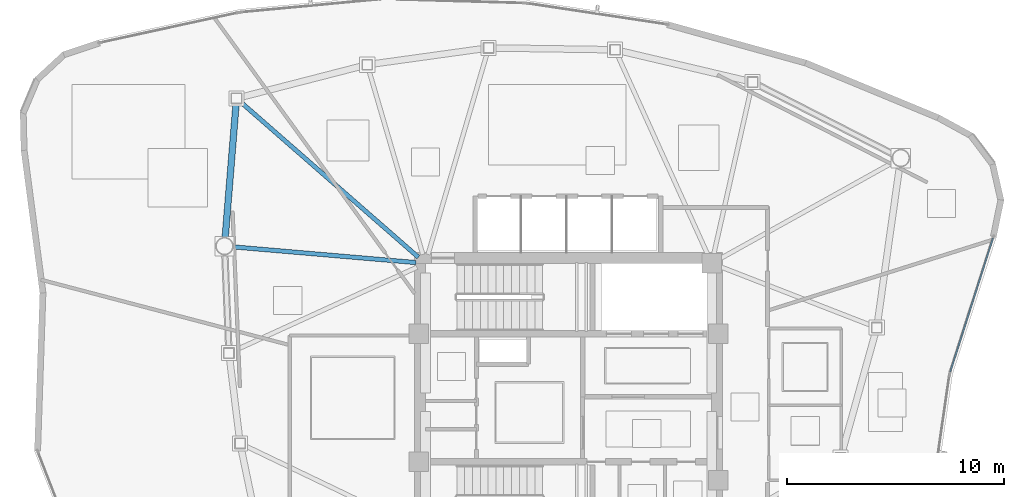
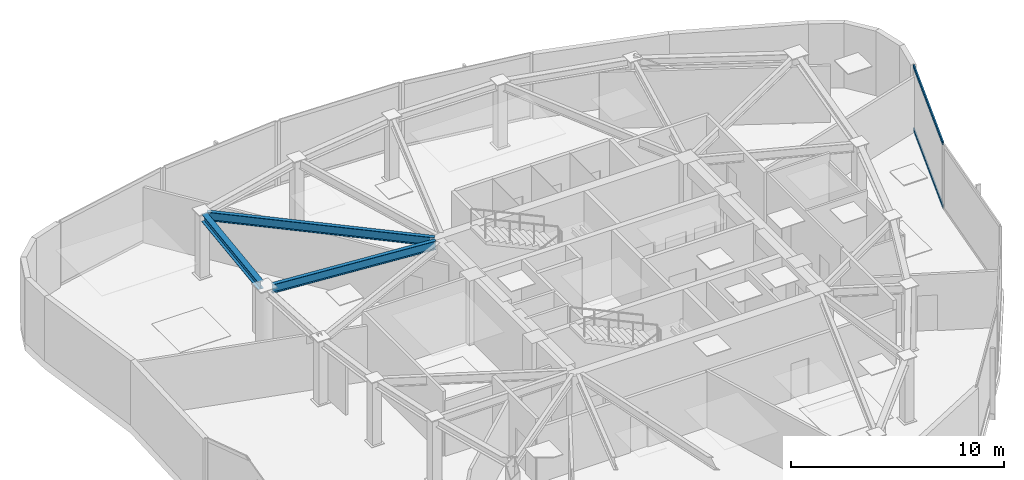
# One storey, part 5 of 14: 3 beams, 2 members, 1 element without a shape of its own.
"""IFC4 building model written with IfcOpenShell, lengths in metres."""

from ifc_helpers import new_model, si_unit, direction, frame, origin, origin_2d, place, context, subcontext, project, spatial, hollow_rectangle, i_section, extrude, source, transform, mapped, material, layer, layer_set, material_profile, profile_set, type_object, type_shapes, element, aggregate, save


model = new_model("IFC4")

# Units and contexts
model_context = context("Model", 3, precision=1e-05, world=origin(), true_north=direction((0.0, 1.0)))
body_context = subcontext(model_context, "Body", "Model", "MODEL_VIEW")
ifc_project = project(units=[si_unit("LENGTHUNIT", "METRE"), si_unit("AREAUNIT", "SQUARE_METRE"), si_unit("VOLUMEUNIT", "CUBIC_METRE"), si_unit("PLANEANGLEUNIT", "RADIAN"), si_unit("MASSUNIT", "GRAM", prefix="KILO")], contexts=[model_context])

# Site, building, storey
site_placement = place(None, origin())
site = spatial("IfcSite", under=ifc_project, at=site_placement, CompositionType="ELEMENT")
building_placement = place(site_placement, origin())
building = spatial("IfcBuilding", under=site, at=building_placement, Name="Tavelor Broadcast Tower", CompositionType="ELEMENT")
storey_placement = place(building_placement, frame((0.0, 0.0, 273.5)))
storey = spatial("IfcBuildingStorey", under=building, at=storey_placement, Name="L65", CompositionType="ELEMENT", Elevation=273.5)

# Beams
ifc_material_1 = material(Name="Steel S355", Category="steel")
ifc_material_profile_1 = material_profile(ifc_material_1, i_section(OverallWidth=0.300048828125, OverallDepth=0.43994140625, WebThickness=0.011474609375, FlangeThickness=0.02099609375, at=origin_2d()), Name="HEA 450")
ifc_profile_set_1 = profile_set([ifc_material_profile_1], Name="Steel S355")
beam_type_1 = type_object("IfcBeamType", Name="Perimeter Spandrel Beam T7 HEA 450", PredefinedType="SPANDREL", material=ifc_profile_set_1)
beam_1_placement = place(storey_placement, frame((34.669677734375, 58.56982421875, 3.47998046875), z_axis=(-0.081085240328, -0.996707170538, 0.0), x_axis=(0.996707170538, -0.081085240328, 0.0)))
element("IfcBeam", 1, at=beam_1_placement, inside=storey, type_object=beam_type_1, Name="L65 Framed-Tube Ring Spandrel 18", PredefinedType="SPANDREL", context=body_context, shape_type="SweptSolid", body=[
    extrude(i_section(OverallWidth=0.300048828125, OverallDepth=0.43994140625, WebThickness=0.011474609375, FlangeThickness=0.02099609375, at=origin_2d()), origin(), (0.0, 0.0, 1.0), 6.20556640625),
])
ifc_material_profile_2 = material_profile(ifc_material_1, i_section(OverallWidth=0.199951171875, OverallDepth=0.5, WebThickness=0.01025390625, FlangeThickness=0.01611328125, at=origin_2d()), Name="IPE 500")
ifc_profile_set_2 = profile_set([ifc_material_profile_2], Name="Steel S355")
beam_type_2 = type_object("IfcBeamType", Name="Radial Floor Girder T7 IPE 500", PredefinedType="BEAM", material=ifc_profile_set_2)
beam_2_placement = place(storey_placement, frame((42.969482421875, 51.237060546875, 3.449951171875), z_axis=(-0.996332421592, 0.085566966079, 0.0), x_axis=(-0.085566966079, -0.996332421592, 0.0)))
element("IfcBeam", 2, at=beam_2_placement, inside=storey, type_object=beam_type_2, Name="L65 Radial Primary Floor Girder 01", PredefinedType="BEAM", context=body_context, shape_type="SweptSolid", body=[
    extrude(i_section(OverallWidth=0.199951171875, OverallDepth=0.5, WebThickness=0.01025390625, FlangeThickness=0.01611328125, at=origin_2d()), origin(), (0.0, 0.0, 1.0), 8.476806640625),
])
beam_3_placement = place(storey_placement, frame((43.07470703125, 51.484130859375, 3.449951171875), z_axis=(-0.753133106232, 0.657868166351, 0.0), x_axis=(-0.657868166351, -0.753133106232, 0.0)))
element("IfcBeam", 3, at=beam_3_placement, inside=storey, type_object=beam_type_2, Name="L65 Radial Primary Floor Girder 18", PredefinedType="BEAM", context=body_context, shape_type="SweptSolid", body=[
    extrude(i_section(OverallWidth=0.199951171875, OverallDepth=0.5, WebThickness=0.01025390625, FlangeThickness=0.01611328125, at=origin_2d()), origin(), (0.0, 0.0, 1.0), 10.894287109375),
])

# Curtain wall, members
ifc_material_2 = material(Name="Architectural Anodized Aluminium", Category="aluminium")
ifc_layer = layer(ifc_material_2, 0.199951171875)
ifc_layer_set = layer_set([ifc_layer], Name="Architectural Anodized Aluminium")
curtain_wall_type = type_object("IfcCurtainWallType", Name="Tower High-Zone Triple-Glazed Curtain Wall CW04", PredefinedType="NOTDEFINED", material=ifc_layer_set)
curtain_wall_placement = place(storey_placement, origin())
curtain_wall = element("IfcCurtainWall", 4, at=curtain_wall_placement, inside=storey, type_object=curtain_wall_type, Name="L65 Curtain Wall CW04 Run 716", PredefinedType="NOTDEFINED")
ifc_material_profile_3 = material_profile(ifc_material_2, hollow_rectangle(XDim=0.070068359375, YDim=0.199951171875, WallThickness=0.02197265625, at=origin_2d()), Name="RHS 70x200x22")
ifc_profile_set_3 = profile_set([ifc_material_profile_3], Name="Architectural Anodized Aluminium")
member_type = type_object("IfcMemberType", Name="CW04 Extruded Aluminium Transom 70x200", PredefinedType="USERDEFINED", material=ifc_profile_set_3)
shared_shape = source(origin(), body_context, "Body", "SweptSolid", [
    extrude(hollow_rectangle(XDim=0.070068359375, YDim=0.199951171875, WallThickness=0.02197265625, at=origin_2d()), origin(), (0.0, 0.0, 1.0), 6.481689453125),
])
type_shapes(member_type, [shared_shape])
member_1_placement = place(storey_placement, frame((67.599853515625, 46.20068359375, 0.034912109375), z_axis=(0.304417631361, 0.952538663633, 0.0), x_axis=(-0.952538663633, 0.304417631361, 0.0)))
member_1 = element("IfcMember", 5, at=member_1_placement, type_object=member_type, Name="CW04 transom 1.1", ObjectType="TRANSOM", PredefinedType="USERDEFINED", context=body_context, shape_type="MappedRepresentation", body=[
    mapped(shared_shape, transform((0.0, 0.0, 0.0), scale=1.0)),
])
member_2_placement = place(storey_placement, frame((67.599853515625, 46.20068359375, 3.6650390625), z_axis=(0.304417631361, 0.952538663633, 0.0), x_axis=(-0.952538663633, 0.304417631361, 0.0)))
member_2 = element("IfcMember", 6, at=member_2_placement, type_object=member_type, Name="CW04 transom 1.2", ObjectType="TRANSOM", PredefinedType="USERDEFINED", context=body_context, shape_type="MappedRepresentation", body=[
    mapped(shared_shape, transform((0.0, 0.0, 0.0), scale=1.0)),
])
aggregate(curtain_wall, [member_1, member_2])

save(model, "model.ifc")
